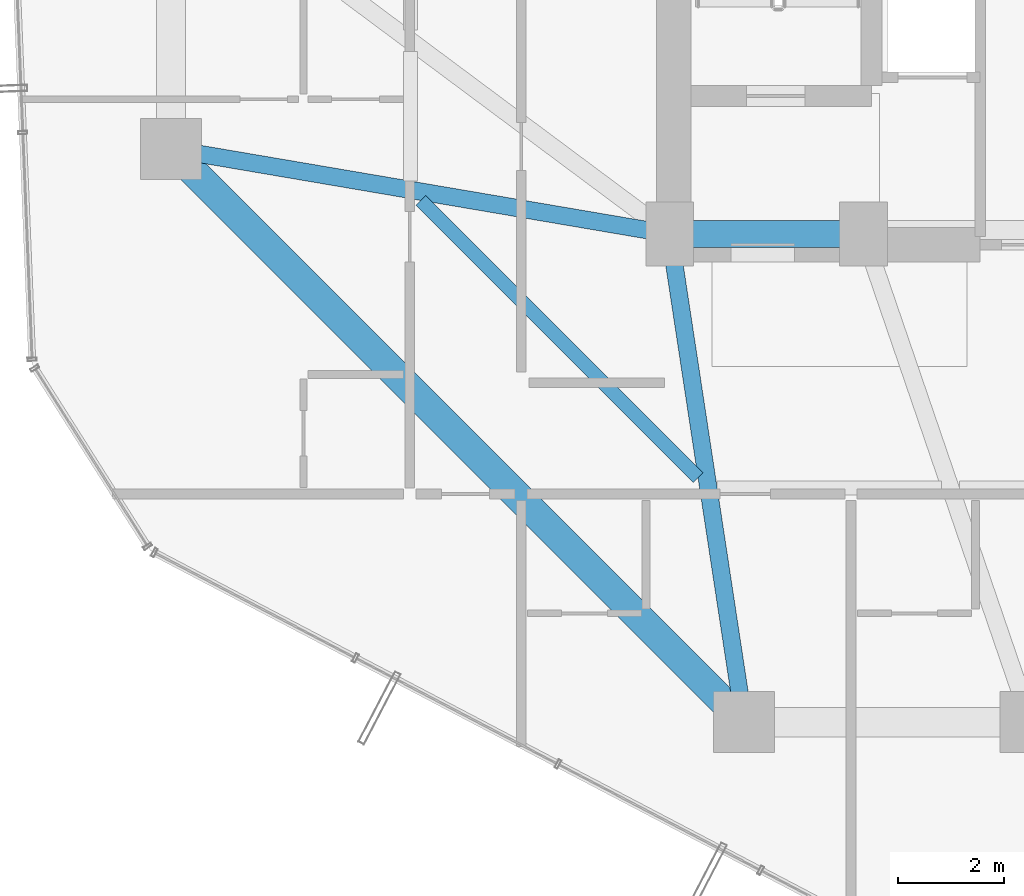
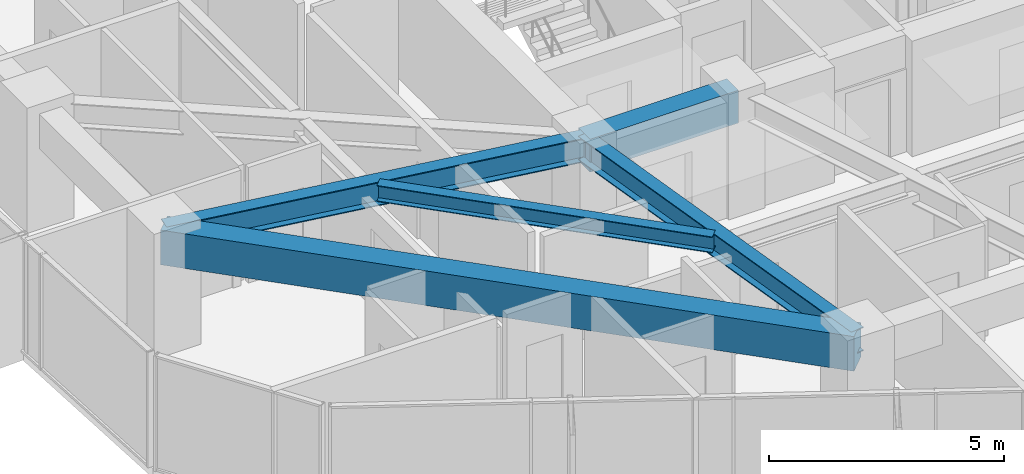
# One storey, part 5 of 32: 5 beams.
"""IFC4 building model written with IfcOpenShell, lengths in metres."""

import ifcopenshell
import ifcopenshell.guid

model = None  # the IFC model being written
_history = None  # IfcOwnerHistory: only IFC2X3 demands one
_inside = {}  # id of a spatial element -> (the spatial element, [elements in it])
_under = {}  # id of a project, library or spatial element -> (it, [spatial elements below it])
_declared = {}  # id of a project -> (the project, [libraries it declares])
_typed = {}  # id of a type object -> (the type object, [elements of that type])
_made_of = {}  # id of a material, layer set ... -> (it, [elements and type objects made of it])


def new_model(schema):
    """Start an empty IFC model of exactly this schema.

    Asked for "IFC4X3", IfcOpenShell would pick the latest addendum, in which some entities
    have other attributes; the version numbers below select the first issue.
    IFC2X3 requires an IfcOwnerHistory on every rooted entity: one is made here for all.
    """
    global model, _history
    if schema == "IFC4X3":
        model = ifcopenshell.file(schema_version=(4, 3, 0, 0))
    else:
        model = ifcopenshell.file(schema=schema)
    _inside.clear()
    _under.clear()
    _declared.clear()
    _typed.clear()
    _made_of.clear()
    _history = None
    if model.schema == "IFC2X3":
        org = make("IfcOrganization", Name="unknown")
        user = make(
            "IfcPersonAndOrganization",
            ThePerson=make("IfcPerson", FamilyName="unknown"),
            TheOrganization=org,
        )
        app = make(
            "IfcApplication",
            ApplicationDeveloper=org,
            Version="unknown",
            ApplicationFullName="unknown",
            ApplicationIdentifier="unknown",
        )
        _history = make(
            "IfcOwnerHistory",
            OwningUser=user,
            OwningApplication=app,
            ChangeAction="ADDED",
            CreationDate=0,
        )
    return model


def make(cls, **values):
    """One entity of the class cls with the attributes given. An attribute that is None is left unset."""
    return model.create_entity(
        cls, **{name: value for name, value in values.items() if value is not None}
    )


def rooted(cls, **values):
    """An entity with a GlobalId (a new one), such as an element, a storey or a relation."""
    return make(cls, GlobalId=ifcopenshell.guid.new(), OwnerHistory=_history, **values)


def si_unit(unit_type, name, prefix=None):
    """IfcSIUnit, for example si_unit("LENGTHUNIT", "METRE", prefix="MILLI")."""
    return make("IfcSIUnit", UnitType=unit_type, Prefix=prefix, Name=name)


def assignment(units):
    """IfcUnitAssignment: the units of a project."""
    return None if units is None else make("IfcUnitAssignment", Units=units)


def point(xyz):
    """IfcCartesianPoint."""
    return None if xyz is None else make("IfcCartesianPoint", Coordinates=xyz)


def direction(xyz):
    """IfcDirection."""
    return None if xyz is None else make("IfcDirection", DirectionRatios=xyz)


def frame(location, z_axis=None, x_axis=None):
    """IfcAxis2Placement3D, a coordinate frame: its origin and axes. An axis left out is left unset."""
    return make(
        "IfcAxis2Placement3D",
        Location=point(location),
        Axis=direction(z_axis),
        RefDirection=direction(x_axis),
    )


def frame_2d(location, x_axis=None):
    """IfcAxis2Placement2D, a coordinate frame in the plane: its origin and x axis."""
    return make(
        "IfcAxis2Placement2D", Location=point(location), RefDirection=direction(x_axis)
    )


def origin():
    """The frame at (0, 0, 0) with its axes left unset."""
    return frame((0.0, 0.0, 0.0))


def origin_2d():
    """The frame at (0, 0) in the plane with its x axis left unset."""
    return frame_2d((0.0, 0.0))


def place(relative_to, where):
    """IfcLocalPlacement: puts the frame where relative to a parent placement (None: the world)."""
    return make(
        "IfcLocalPlacement", PlacementRelTo=relative_to, RelativePlacement=where
    )


def context(
    kind, dimensions, precision=None, world=None, true_north=None, identifier=None
):
    """IfcGeometricRepresentationContext, for example the 3D "Model" context."""
    return make(
        "IfcGeometricRepresentationContext",
        ContextIdentifier=identifier,
        ContextType=kind,
        CoordinateSpaceDimension=dimensions,
        Precision=precision,
        WorldCoordinateSystem=world,
        TrueNorth=true_north,
    )


def subcontext(parent, identifier, kind, view, scale=None):
    """IfcGeometricRepresentationSubContext, for example "Body" below "Model"."""
    return make(
        "IfcGeometricRepresentationSubContext",
        ContextIdentifier=identifier,
        ContextType=kind,
        ParentContext=parent,
        TargetScale=scale,
        TargetView=view,
    )


def project(units=None, contexts=None):
    """IfcProject with its units and contexts."""
    return rooted(
        "IfcProject",
        Name="project",
        RepresentationContexts=contexts,
        UnitsInContext=assignment(units),
    )


def spatial(cls, under=None, at=None, **own):
    """A site, building, storey or space (cls), placed at a placement, below another one or the project."""
    s = rooted(cls, ObjectPlacement=at, **own)
    if under is not None:
        _under.setdefault(under.id(), (under, []))[1].append(s)
    return s


def profile(cls, at=None, kind="AREA", **sizes):
    """A parametric profile (cls). Its sizes go by their IFC names, for example OverallWidth=200.0."""
    return make(cls, ProfileType=kind, Position=at, **sizes)


def rectangle(**sizes):
    """IfcRectangleProfileDef."""
    return profile("IfcRectangleProfileDef", **sizes)


def i_section(**sizes):
    """IfcIShapeProfileDef."""
    return profile("IfcIShapeProfileDef", **sizes)


def extrude(swept, where, along, depth):
    """IfcExtrudedAreaSolid: the profile swept, set in the frame where, extruded along a direction by depth."""
    return make(
        "IfcExtrudedAreaSolid",
        SweptArea=swept,
        Position=where,
        ExtrudedDirection=direction(along),
        Depth=depth,
    )


def shape(context_of_items, identifier, shape_type, items):
    """IfcShapeRepresentation: the items that make up one representation, for example the "Body"."""
    return make(
        "IfcShapeRepresentation",
        ContextOfItems=context_of_items,
        RepresentationIdentifier=identifier,
        RepresentationType=shape_type,
        Items=items,
    )


def material(Name=None, Category=None):
    """IfcMaterial."""
    return make("IfcMaterial", Name=Name, Category=Category)


def material_profile(
    of_material, cross_section, Name=None, Category=None, Priority=None
):
    """IfcMaterialProfile: a cross section and its material."""
    return make(
        "IfcMaterialProfile",
        Name=Name,
        Material=of_material,
        Profile=cross_section,
        Priority=Priority,
        Category=Category,
    )


def profile_set(profiles, Name=None, composite=None):
    """IfcMaterialProfileSet."""
    return make(
        "IfcMaterialProfileSet",
        Name=Name,
        MaterialProfiles=profiles,
        CompositeProfile=composite,
    )


def made_of(thing, what):
    """Note that an element or type object is made of a material, layer set ...; save() writes the relation."""
    if what is not None:
        _made_of.setdefault(what.id(), (what, []))[1].append(thing)
    return thing


def type_object(cls, material=None, **own):
    """A type object (cls), such as IfcWallType, which elements share."""
    return made_of(rooted(cls, **own), material)


def element(
    cls,
    number,
    at=None,
    inside=None,
    cuts=None,
    type_object=None,
    material=None,
    context=None,
    identifier="Body",
    shape_type=None,
    held_by="IfcProductDefinitionShape",
    body=None,
    shapes=None,
    **own,
):
    """One element of the class cls, such as IfcWall. Its Tag is "e" and its number.

    at: its placement. inside: the storey or other place that contains it. cuts: it is an
    opening in that element (IfcRelVoidsElement). A single representation is given by context,
    identifier, shape_type and body (its items); several are given by shapes. held_by: the class
    of the entity that holds the representations. save() writes the other relations.
    """
    e = rooted(cls, Tag="e%d" % number, ObjectPlacement=at, **own)
    if body is not None:
        shapes = [shape(context, identifier, shape_type, body)]
    if shapes is not None:
        e.Representation = make(held_by, Representations=shapes)
    if inside is not None:
        _inside.setdefault(inside.id(), (inside, []))[1].append(e)
    if cuts is not None:
        rooted(
            "IfcRelVoidsElement", RelatingBuildingElement=cuts, RelatedOpeningElement=e
        )
    if type_object is not None:
        _typed.setdefault(type_object.id(), (type_object, []))[1].append(e)
    return made_of(e, material)


def aggregate(whole, parts):
    """IfcRelAggregates: a whole, such as a stair, and the parts it consists of."""
    return rooted("IfcRelAggregates", RelatingObject=whole, RelatedObjects=parts)


def save(model, path):
    """Write the relations noted so far, then the file.

    IfcRelAggregates (storeys below a building ...), IfcRelContainedInSpatialStructure (elements
    in a storey), IfcRelDefinesByType, IfcRelAssociatesMaterial and IfcRelDeclares: one each for
    every whole, place, type object, material and project.
    """
    for whole, parts in _under.values():
        aggregate(whole, parts)
    for where, things in _inside.values():
        rooted(
            "IfcRelContainedInSpatialStructure",
            RelatedElements=things,
            RelatingStructure=where,
        )
    for kind, things in _typed.values():
        rooted("IfcRelDefinesByType", RelatedObjects=things, RelatingType=kind)
    for what, things in _made_of.values():
        rooted("IfcRelAssociatesMaterial", RelatedObjects=things, RelatingMaterial=what)
    for by, libraries in _declared.values():
        rooted("IfcRelDeclares", RelatingContext=by, RelatedDefinitions=libraries)
    model.write(path)


model = new_model("IFC4")

# Units and contexts
model_context = context("Model", 3, precision=1e-05, world=origin(), true_north=direction((0.0, 1.0)))
body_context = subcontext(model_context, "Body", "Model", "MODEL_VIEW")
ifc_project = project(units=[si_unit("LENGTHUNIT", "METRE"), si_unit("AREAUNIT", "SQUARE_METRE"), si_unit("VOLUMEUNIT", "CUBIC_METRE"), si_unit("PLANEANGLEUNIT", "RADIAN"), si_unit("MASSUNIT", "GRAM", prefix="KILO")], contexts=[model_context])

# Site, building, storey
site_placement = place(None, origin())
site = spatial("IfcSite", under=ifc_project, at=site_placement, CompositionType="ELEMENT")
building_placement = place(site_placement, origin())
building = spatial("IfcBuilding", under=site, at=building_placement, Name="Veraguas Prism Commons", CompositionType="ELEMENT")
storey_placement = place(building_placement, frame((0.0, 0.0, 136.0)))
storey = spatial("IfcBuildingStorey", under=building, at=storey_placement, Name="L38", CompositionType="ELEMENT", Elevation=136.0)

# Beams
ifc_material_1 = material(Name="Concrete C50/60", Category="concrete")
ifc_material_profile_1 = material_profile(ifc_material_1, rectangle(XDim=0.5, YDim=0.85009765625, at=origin_2d()), Name="RC500X850")
ifc_profile_set_1 = profile_set([ifc_material_profile_1], Name="Concrete C50/60")
beam_type_1 = type_object("IfcBeamType", Name="Core Coupling Beam RC 500x850", PredefinedType="BEAM", material=ifc_profile_set_1)
beam_1_placement = place(storey_placement, frame((17.199951171875, 17.0, 2.574951171875), z_axis=(1.0, 0.0, 0.0), x_axis=(0.0, 1.0, 0.0)))
element("IfcBeam", 1, at=beam_1_placement, inside=storey, type_object=beam_type_1, Name="Core Coupling Beam L38-CRS1", PredefinedType="BEAM", context=body_context, shape_type="SweptSolid", body=[
    extrude(rectangle(XDim=0.5, YDim=0.85009765625, at=origin_2d()), origin(), (0.0, 0.0, 1.0), 3.650146484375),
])
ifc_material_2 = material(Name="Steel ASTM A992 Grade 50", Category="steel")
ifc_material_profile_2 = material_profile(ifc_material_2, i_section(OverallWidth=0.260986328125, OverallDepth=0.419921875, WebThickness=0.01171875, FlangeThickness=0.019287109375, at=origin_2d()), Name="W410X114")
ifc_profile_set_2 = profile_set([ifc_material_profile_2], Name="Steel ASTM A992 Grade 50")
beam_type_2 = type_object("IfcBeamType", Name="Lower Floor Joist W410x114", PredefinedType="JOIST", material=ifc_profile_set_2)
beam_2_placement = place(storey_placement, frame((12.510009765625, 17.634033203125, 2.7900390625), z_axis=(0.707090260193, -0.707123301794, 0.0), x_axis=(0.707123301794, 0.707090260193, 0.0)))
element("IfcBeam", 2, at=beam_2_placement, inside=storey, type_object=beam_type_2, Name="Composite Floor Joist L38-JS09", PredefinedType="JOIST", context=body_context, shape_type="SweptSolid", body=[
    extrude(i_section(OverallWidth=0.260986328125, OverallDepth=0.419921875, WebThickness=0.01171875, FlangeThickness=0.019287109375, at=origin_2d()), origin(), (0.0, 0.0, 1.0), 7.388916015625),
])
ifc_material_profile_3 = material_profile(ifc_material_1, rectangle(XDim=0.550048828125, YDim=0.89990234375, at=origin_2d()), Name="RC550X900")
ifc_profile_set_3 = profile_set([ifc_material_profile_3], Name="Concrete C50/60")
beam_type_3 = type_object("IfcBeamType", Name="Perimeter Spandrel Lower RC 550x900", PredefinedType="SPANDREL", material=ifc_profile_set_3)
beam_3_placement = place(storey_placement, frame((7.800048828125, 18.60009765625, 2.550048828125), z_axis=(0.707106781187, -0.707106781187, 0.0), x_axis=(0.707106781187, 0.707106781187, 0.0)))
element("IfcBeam", 3, at=beam_3_placement, inside=storey, type_object=beam_type_3, Name="Perimeter Spandrel Beam L38-SP09", PredefinedType="SPANDREL", context=body_context, shape_type="SweptSolid", body=[
    extrude(rectangle(XDim=0.550048828125, YDim=0.89990234375, at=origin_2d()), origin(), (0.0, 0.0, 1.0), 15.273681640625),
])
ifc_material_profile_4 = material_profile(ifc_material_2, i_section(OverallWidth=0.327880859375, OverallDepth=0.6220703125, WebThickness=0.015380859375, FlangeThickness=0.0244140625, at=origin_2d()), Name="W610X195")
ifc_profile_set_4 = profile_set([ifc_material_profile_4], Name="Steel ASTM A992 Grade 50")
beam_type_4 = type_object("IfcBeamType", Name="Zone 2 Radial Girder W610x195", PredefinedType="BEAM", material=ifc_profile_set_4)
beam_4_placement = place(storey_placement, frame((7.800048828125, 18.60009765625, 2.68896484375), z_axis=(0.985819187151, -0.1678109956, 0.0), x_axis=(0.1678109956, 0.985819187151, 0.0)))
element("IfcBeam", 4, at=beam_4_placement, inside=storey, type_object=beam_type_4, Name="Radial Floor Girder L38-RD09", PredefinedType="BEAM", context=body_context, shape_type="SweptSolid", body=[
    extrude(i_section(OverallWidth=0.327880859375, OverallDepth=0.6220703125, WebThickness=0.015380859375, FlangeThickness=0.0244140625, at=origin_2d()), origin(), (0.0, 0.0, 1.0), 9.53515625),
])
beam_5_placement = place(storey_placement, frame((18.60009765625, 7.800048828125, 2.68896484375), z_axis=(-0.150458162136, 0.98861637729, 0.0), x_axis=(-0.98861637729, -0.150458162136, 0.0)))
element("IfcBeam", 5, at=beam_5_placement, inside=storey, type_object=beam_type_4, Name="Radial Floor Girder L38-RD10", PredefinedType="BEAM", context=body_context, shape_type="SweptSolid", body=[
    extrude(i_section(OverallWidth=0.327880859375, OverallDepth=0.6220703125, WebThickness=0.015380859375, FlangeThickness=0.0244140625, at=origin_2d()), origin(), (0.0, 0.0, 1.0), 9.305908203125),
])

save(model, "model.ifc")
